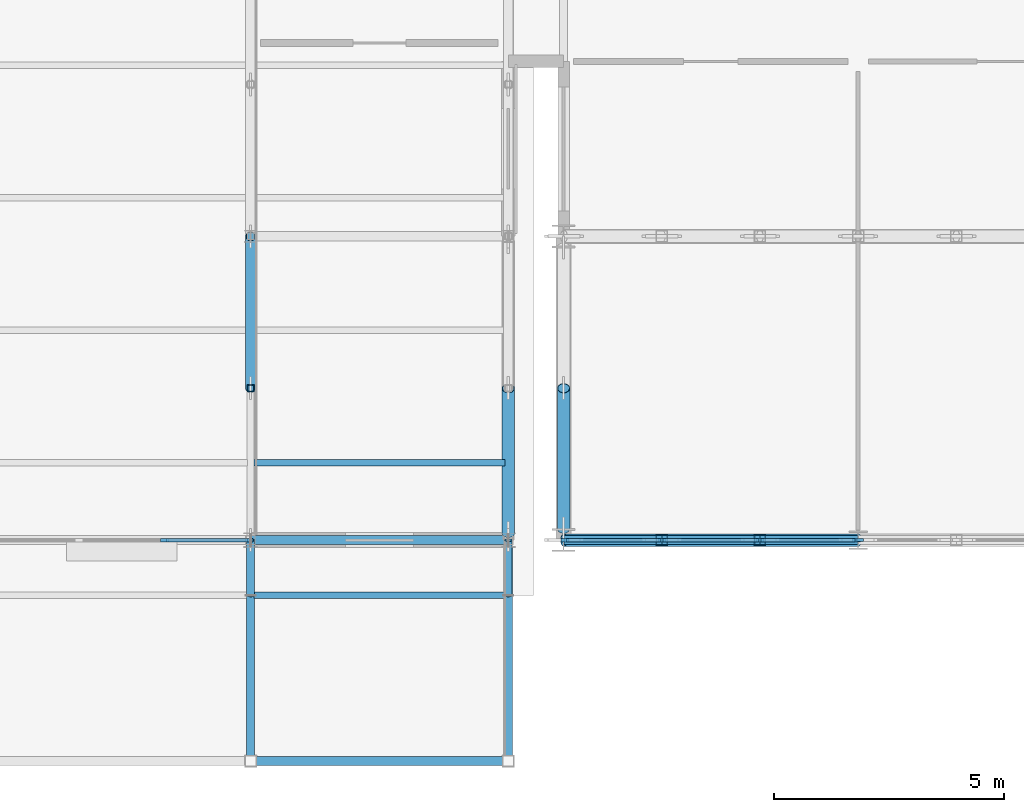
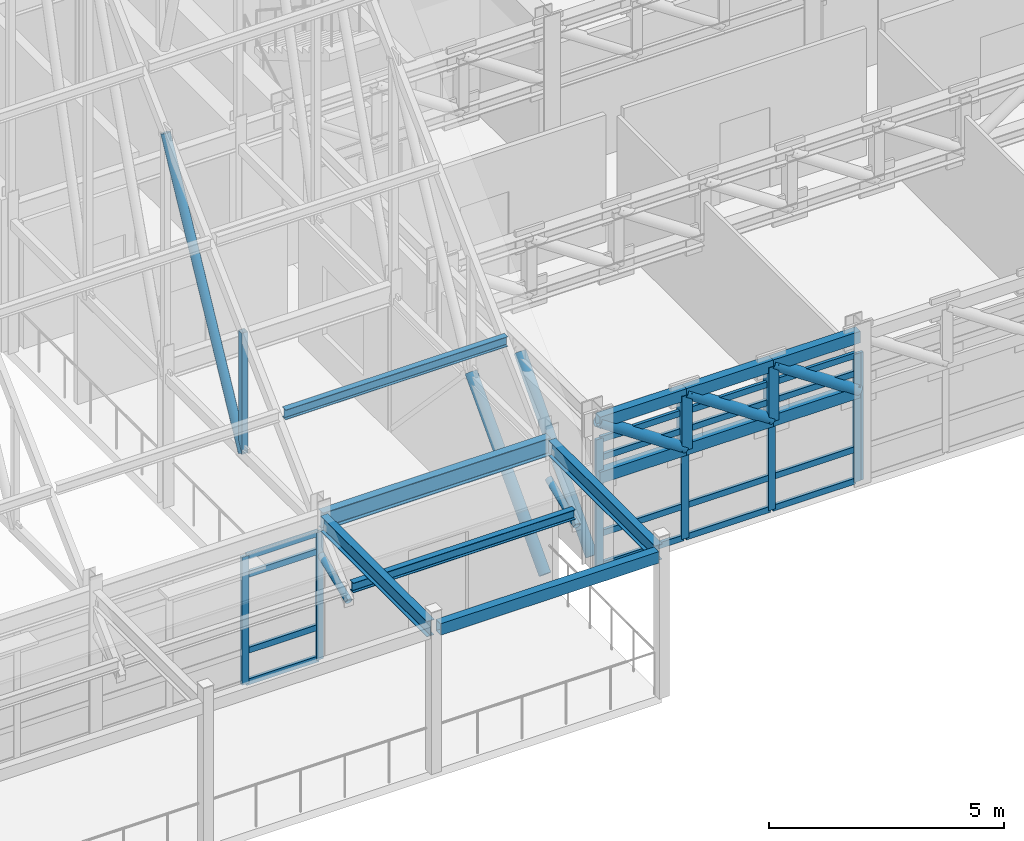
# One storey, part 43 of 144: 42 members, 4 beams, 3 elements without a shape of their own.
"""IFC4 building model written with IfcOpenShell, lengths in metres."""

from ifc_helpers import new_model, si_unit, direction, frame, origin, origin_2d, place, context, subcontext, project, spatial, rectangle, hollow_rectangle, hollow_circle, i_section, extrude, material, layer, layer_set, material_profile, profile_set, type_object, element, aggregate, save


model = new_model("IFC4")

# Units and contexts
model_context = context("Model", 3, precision=1e-05, world=origin(), true_north=direction((0.0, 1.0)))
body_context = subcontext(model_context, "Body", "Model", "MODEL_VIEW")
ifc_project = project(units=[si_unit("LENGTHUNIT", "METRE"), si_unit("AREAUNIT", "SQUARE_METRE"), si_unit("VOLUMEUNIT", "CUBIC_METRE"), si_unit("PLANEANGLEUNIT", "RADIAN"), si_unit("MASSUNIT", "GRAM", prefix="KILO")], contexts=[model_context])

# Site, building, storey
site_placement = place(None, origin())
site = spatial("IfcSite", under=ifc_project, at=site_placement, CompositionType="ELEMENT")
building_placement = place(site_placement, origin())
building = spatial("IfcBuilding", under=site, at=building_placement, Name="Trelmorton Wharf Fire Station", CompositionType="ELEMENT")
storey_placement = place(building_placement, frame((0.0, 0.0, 5.39990234375)))
storey = spatial("IfcBuildingStorey", under=building, at=storey_placement, Name="L01", CompositionType="ELEMENT", Elevation=5.39990234375)

# Beams
ifc_material_1 = material(Name="Steel Grade 350", Category="steel")
ifc_material_profile_1 = material_profile(ifc_material_1, i_section(OverallWidth=0.177978515625, OverallDepth=0.406005859375, WebThickness=0.0078125, FlangeThickness=0.0126953125, FilletRadius=0.011474609375, at=origin_2d()), Name="410UB59.7")
ifc_profile_set_1 = profile_set([ifc_material_profile_1], Name="Steel Grade 350")
beam_type_1 = type_object("IfcBeamType", Name="BM_410UB60", PredefinedType="BEAM", material=ifc_profile_set_1)
for number, where, z_axis, x_axis, name in (
    (1, (51.199951171875, 3.12109375, 3.6171875), (0.0, 1.0, 0.0), (-1.0, 0.0, 0.0), "BM-L01-0584"),
    (2, (56.800048828125, 3.12109375, 3.6171875), (0.0, 1.0, 0.0), (-1.0, 0.0, 0.0), "BM-L01-0585"),
):
    element("IfcBeam", number, at=place(storey_placement, frame(where, z_axis=z_axis, x_axis=x_axis)), inside=storey, type_object=beam_type_1, Name=name, PredefinedType="BEAM", context=body_context, shape_type="SweptSolid", body=[
        extrude(i_section(OverallWidth=0.177978515625, OverallDepth=0.406005859375, WebThickness=0.0078125, FlangeThickness=0.0126953125, FilletRadius=0.011474609375, at=origin_2d()), origin(), (0.0, 0.0, 1.0), 4.525390625),
    ])
ifc_material_2 = material(Name="Signal-red architectural steel Grade 350", Category="steel")
ifc_material_profile_2 = material_profile(ifc_material_2, hollow_rectangle(XDim=0.199951171875, YDim=0.300048828125, WallThickness=0.012451171875, at=origin_2d()), Name="300x200x12.5RHS")
ifc_profile_set_2 = profile_set([ifc_material_profile_2], Name="Signal-red architectural steel Grade 350")
beam_type_2 = type_object("IfcBeamType", Name="BM_RED_300RHS", PredefinedType="BEAM", material=ifc_profile_set_2)
beam_1_placement = place(storey_placement, frame((51.321044921875, 3.0, 3.670166015625), z_axis=(1.0, 0.0, 0.0), x_axis=(0.0, 1.0, 0.0)))
element("IfcBeam", 3, at=beam_1_placement, inside=storey, type_object=beam_type_2, Name="BM-L01-0402", PredefinedType="BEAM", context=body_context, shape_type="SweptSolid", body=[
    extrude(hollow_rectangle(XDim=0.199951171875, YDim=0.300048828125, WallThickness=0.012451171875, at=origin_2d()), origin(), (0.0, 0.0, 1.0), 5.35791015625),
])

# Members
ifc_material_3 = material(Name="Steel C350L0 (350 MPa)", Category="steel")
ifc_material_profile_3 = material_profile(ifc_material_3, hollow_circle(Radius=0.136474609375, WallThickness=0.00927734375, at=origin_2d()), Name="273.1x9.3CHS")
ifc_profile_set_3 = profile_set([ifc_material_profile_3], Name="Steel C350L0 (350 MPa)")
member_type_1 = type_object("IfcMemberType", Name="BR_273CHS", PredefinedType="BRACE", material=ifc_profile_set_3)
member_1_placement = place(storey_placement, frame((56.800048828125, 7.95458984375, 0.1201171875), z_axis=(0.0, 0.684495843714, 0.729016762453), x_axis=(-1.0, 0.0, 0.0)))
element("IfcMember", 4, at=member_1_placement, inside=storey, type_object=member_type_1, Name="CBF-V1-E-L01-A", PredefinedType="BRACE", context=body_context, shape_type="SweptSolid", body=[
    extrude(hollow_circle(Radius=0.136474609375, WallThickness=0.00927734375, at=origin_2d()), origin(), (0.0, 0.0, 1.0), 4.595458984375),
])
member_2_placement = place(storey_placement, frame((58.0, 8.047119140625, 0.1201171875), z_axis=(0.0, 0.661630386629, 0.74983013509), x_axis=(-1.0, 0.0, 0.0)))
element("IfcMember", 5, at=member_2_placement, inside=storey, type_object=member_type_1, Name="CBF-V3-W-L01-A", PredefinedType="BRACE", context=body_context, shape_type="SweptSolid", body=[
    extrude(hollow_circle(Radius=0.136474609375, WallThickness=0.00927734375, at=origin_2d()), origin(), (0.0, 0.0, 1.0), 4.6142578125),
])

# Curtain wall, member
ifc_material_4 = material(Name="Anodised aluminium AW-6063", Category="aluminium")
ifc_layer = layer(ifc_material_4, 0.159912109375)
ifc_layer_set = layer_set([ifc_layer], Name="Anodised aluminium AW-6063")
curtain_wall_type = type_object("IfcCurtainWallType", Name="CW_CHIC_A", PredefinedType="USERDEFINED", material=ifc_layer_set)
curtain_wall_1_placement = place(storey_placement, origin())
curtain_wall_1 = element("IfcCurtainWall", 6, at=curtain_wall_1_placement, inside=storey, type_object=curtain_wall_type, Name="CW-V3-L01-023", ObjectType="CHICAGO BAY CURTAIN WALL", PredefinedType="USERDEFINED")
ifc_material_profile_4 = material_profile(ifc_material_4, rectangle(XDim=0.06494140625, YDim=0.159912109375, at=origin_2d()), Name="ALU-65x160")
ifc_profile_set_4 = profile_set([ifc_material_profile_4], Name="Anodised aluminium AW-6063")
member_type_2 = type_object("IfcMemberType", Name="CWM_65x160", PredefinedType="MULLION", material=ifc_profile_set_4)
member_3_placement = place(storey_placement, frame((64.43505859375, 7.800048828125, 0.0), z_axis=(0.0, 0.0, 1.0), x_axis=(0.0, -1.0, 0.0)))
member_3 = element("IfcMember", 7, at=member_3_placement, type_object=member_type_2, Name="CW1 mullion 4", PredefinedType="MULLION", context=body_context, shape_type="SweptSolid", body=[
    extrude(rectangle(XDim=0.06494140625, YDim=0.159912109375, at=origin_2d()), origin(), (0.0, 0.0, 1.0), 3.320068359375),
])
aggregate(curtain_wall_1, [member_3])

# Curtain wall, members
curtain_wall_2_placement = place(storey_placement, origin())
curtain_wall_2 = element("IfcCurtainWall", 8, at=curtain_wall_2_placement, inside=storey, type_object=curtain_wall_type, Name="CW-V1-L01-008", ObjectType="CHICAGO BAY CURTAIN WALL", PredefinedType="USERDEFINED")
ifc_material_profile_5 = material_profile(ifc_material_4, rectangle(XDim=0.074951171875, YDim=0.175048828125, at=origin_2d()), Name="ALU-75x175")
ifc_profile_set_5 = profile_set([ifc_material_profile_5], Name="Anodised aluminium AW-6063")
member_type_3 = type_object("IfcMemberType", Name="CWM_75x175", PredefinedType="MULLION", material=ifc_profile_set_5)
member_4_placement = place(storey_placement, frame((51.1650390625, 7.800048828125, 0.0), z_axis=(0.0, 0.0, 1.0), x_axis=(0.0, -1.0, 0.0)))
member_4 = element("IfcMember", 9, at=member_4_placement, type_object=member_type_3, Name="CW1 mullion 1", PredefinedType="MULLION", context=body_context, shape_type="SweptSolid", body=[
    extrude(rectangle(XDim=0.074951171875, YDim=0.175048828125, at=origin_2d()), origin(), (0.0, 0.0, 1.0), 3.320068359375),
])
member_5_placement = place(storey_placement, frame((49.331787109375, 7.800048828125, 0.0), z_axis=(0.0, 0.0, 1.0), x_axis=(0.0, -1.0, 0.0)))
member_5 = element("IfcMember", 10, at=member_5_placement, type_object=member_type_3, Name="CW1 mullion 2", PredefinedType="MULLION", context=body_context, shape_type="SweptSolid", body=[
    extrude(rectangle(XDim=0.074951171875, YDim=0.175048828125, at=origin_2d()), origin(), (0.0, 0.0, 1.0), 3.320068359375),
])

curtain_wall_3_placement = place(storey_placement, origin())
curtain_wall_3 = element("IfcCurtainWall", 11, at=curtain_wall_3_placement, inside=storey, type_object=curtain_wall_type, Name="CW-V3-L01-022", ObjectType="CHICAGO BAY CURTAIN WALL", PredefinedType="USERDEFINED")
member_6_placement = place(storey_placement, frame((64.364990234375, 7.800048828125, 0.0), z_axis=(0.0, 0.0, 1.0), x_axis=(0.0, -1.0, 0.0)))
member_6 = element("IfcMember", 12, at=member_6_placement, type_object=member_type_3, Name="CW1 mullion 1", PredefinedType="MULLION", context=body_context, shape_type="SweptSolid", body=[
    extrude(rectangle(XDim=0.074951171875, YDim=0.175048828125, at=origin_2d()), origin(), (0.0, 0.0, 1.0), 3.320068359375),
])
member_7_placement = place(storey_placement, frame((62.264892578125, 7.800048828125, 0.0), z_axis=(0.0, 0.0, 1.0), x_axis=(0.0, -1.0, 0.0)))
member_7 = element("IfcMember", 13, at=member_7_placement, type_object=member_type_3, Name="CW1 mullion 2", PredefinedType="MULLION", context=body_context, shape_type="SweptSolid", body=[
    extrude(rectangle(XDim=0.074951171875, YDim=0.175048828125, at=origin_2d()), origin(), (0.0, 0.0, 1.0), 3.320068359375),
])
member_8_placement = place(storey_placement, frame((60.135009765625, 7.800048828125, 0.0), z_axis=(0.0, 0.0, 1.0), x_axis=(0.0, -1.0, 0.0)))
member_8 = element("IfcMember", 14, at=member_8_placement, type_object=member_type_3, Name="CW1 mullion 3", PredefinedType="MULLION", context=body_context, shape_type="SweptSolid", body=[
    extrude(rectangle(XDim=0.074951171875, YDim=0.175048828125, at=origin_2d()), origin(), (0.0, 0.0, 1.0), 3.320068359375),
])
member_9_placement = place(storey_placement, frame((58.034912109375, 7.800048828125, 0.0), z_axis=(0.0, 0.0, 1.0), x_axis=(0.0, -1.0, 0.0)))
member_9 = element("IfcMember", 15, at=member_9_placement, type_object=member_type_3, Name="CW1 mullion 4", PredefinedType="MULLION", context=body_context, shape_type="SweptSolid", body=[
    extrude(rectangle(XDim=0.074951171875, YDim=0.175048828125, at=origin_2d()), origin(), (0.0, 0.0, 1.0), 3.320068359375),
])

# Member
ifc_material_profile_6 = material_profile(ifc_material_4, rectangle(XDim=0.074951171875, YDim=0.155029296875, at=origin_2d()), Name="ALU-75x155")
ifc_profile_set_6 = profile_set([ifc_material_profile_6], Name="Anodised aluminium AW-6063")
member_type_4 = type_object("IfcMemberType", Name="CWT_75x155", PredefinedType="USERDEFINED", material=ifc_profile_set_6)
member_10_placement = place(storey_placement, frame((51.135009765625, 7.800048828125, 0.030029296875), z_axis=(-1.0, 0.0, 0.0), x_axis=(0.0, -1.0, 0.0)))
member_10 = element("IfcMember", 16, at=member_10_placement, type_object=member_type_4, Name="CW1 transom 1.1", ObjectType="TRANSOM", PredefinedType="USERDEFINED", context=body_context, shape_type="SweptSolid", body=[
    extrude(rectangle(XDim=0.074951171875, YDim=0.155029296875, at=origin_2d()), origin(), (0.0, 0.0, 1.0), 1.7734375),
])

member_11_placement = place(storey_placement, frame((51.135009765625, 7.800048828125, 0.85009765625), z_axis=(-1.0, 0.0, 0.0), x_axis=(0.0, -1.0, 0.0)))
member_11 = element("IfcMember", 17, at=member_11_placement, type_object=member_type_4, Name="CW1 transom 1.2", ObjectType="TRANSOM", PredefinedType="USERDEFINED", context=body_context, shape_type="SweptSolid", body=[
    extrude(rectangle(XDim=0.074951171875, YDim=0.155029296875, at=origin_2d()), origin(), (0.0, 0.0, 1.0), 1.7734375),
])

member_12_placement = place(storey_placement, frame((51.135009765625, 7.800048828125, 2.820068359375), z_axis=(-1.0, 0.0, 0.0), x_axis=(0.0, -1.0, 0.0)))
member_12 = element("IfcMember", 18, at=member_12_placement, type_object=member_type_4, Name="CW1 transom 1.3", ObjectType="TRANSOM", PredefinedType="USERDEFINED", context=body_context, shape_type="SweptSolid", body=[
    extrude(rectangle(XDim=0.074951171875, YDim=0.155029296875, at=origin_2d()), origin(), (0.0, 0.0, 1.0), 1.7734375),
])

member_13_placement = place(storey_placement, frame((51.135009765625, 7.800048828125, 3.2900390625), z_axis=(-1.0, 0.0, 0.0), x_axis=(0.0, -1.0, 0.0)))
member_13 = element("IfcMember", 19, at=member_13_placement, type_object=member_type_4, Name="CW1 transom 1.4", ObjectType="TRANSOM", PredefinedType="USERDEFINED", context=body_context, shape_type="SweptSolid", body=[
    extrude(rectangle(XDim=0.074951171875, YDim=0.155029296875, at=origin_2d()), origin(), (0.0, 0.0, 1.0), 1.7734375),
])

aggregate(curtain_wall_2, [member_4, member_5, member_10, member_11, member_12, member_13])

member_14_placement = place(storey_placement, frame((64.3349609375, 7.800048828125, 0.030029296875), z_axis=(-1.0, 0.0, 0.0), x_axis=(0.0, -1.0, 0.0)))
member_14 = element("IfcMember", 20, at=member_14_placement, type_object=member_type_4, Name="CW1 transom 1.1", ObjectType="TRANSOM", PredefinedType="USERDEFINED", context=body_context, shape_type="SweptSolid", body=[
    extrude(rectangle(XDim=0.074951171875, YDim=0.155029296875, at=origin_2d()), origin(), (0.0, 0.0, 1.0), 2.0400390625),
])

member_15_placement = place(storey_placement, frame((64.3349609375, 7.800048828125, 0.85009765625), z_axis=(-1.0, 0.0, 0.0), x_axis=(0.0, -1.0, 0.0)))
member_15 = element("IfcMember", 21, at=member_15_placement, type_object=member_type_4, Name="CW1 transom 1.2", ObjectType="TRANSOM", PredefinedType="USERDEFINED", context=body_context, shape_type="SweptSolid", body=[
    extrude(rectangle(XDim=0.074951171875, YDim=0.155029296875, at=origin_2d()), origin(), (0.0, 0.0, 1.0), 2.0400390625),
])

member_16_placement = place(storey_placement, frame((64.3349609375, 7.800048828125, 2.820068359375), z_axis=(-1.0, 0.0, 0.0), x_axis=(0.0, -1.0, 0.0)))
member_16 = element("IfcMember", 22, at=member_16_placement, type_object=member_type_4, Name="CW1 transom 1.3", ObjectType="TRANSOM", PredefinedType="USERDEFINED", context=body_context, shape_type="SweptSolid", body=[
    extrude(rectangle(XDim=0.074951171875, YDim=0.155029296875, at=origin_2d()), origin(), (0.0, 0.0, 1.0), 2.0400390625),
])

member_17_placement = place(storey_placement, frame((64.3349609375, 7.800048828125, 3.2900390625), z_axis=(-1.0, 0.0, 0.0), x_axis=(0.0, -1.0, 0.0)))
member_17 = element("IfcMember", 23, at=member_17_placement, type_object=member_type_4, Name="CW1 transom 1.4", ObjectType="TRANSOM", PredefinedType="USERDEFINED", context=body_context, shape_type="SweptSolid", body=[
    extrude(rectangle(XDim=0.074951171875, YDim=0.155029296875, at=origin_2d()), origin(), (0.0, 0.0, 1.0), 2.0400390625),
])

member_18_placement = place(storey_placement, frame((62.235107421875, 7.800048828125, 0.030029296875), z_axis=(-1.0, 0.0, 0.0), x_axis=(0.0, -1.0, 0.0)))
member_18 = element("IfcMember", 24, at=member_18_placement, type_object=member_type_4, Name="CW1 transom 2.1", ObjectType="TRANSOM", PredefinedType="USERDEFINED", context=body_context, shape_type="SweptSolid", body=[
    extrude(rectangle(XDim=0.074951171875, YDim=0.155029296875, at=origin_2d()), origin(), (0.0, 0.0, 1.0), 2.070068359375),
])

member_19_placement = place(storey_placement, frame((62.235107421875, 7.800048828125, 0.85009765625), z_axis=(-1.0, 0.0, 0.0), x_axis=(0.0, -1.0, 0.0)))
member_19 = element("IfcMember", 25, at=member_19_placement, type_object=member_type_4, Name="CW1 transom 2.2", ObjectType="TRANSOM", PredefinedType="USERDEFINED", context=body_context, shape_type="SweptSolid", body=[
    extrude(rectangle(XDim=0.074951171875, YDim=0.155029296875, at=origin_2d()), origin(), (0.0, 0.0, 1.0), 2.070068359375),
])

member_20_placement = place(storey_placement, frame((62.235107421875, 7.800048828125, 2.820068359375), z_axis=(-1.0, 0.0, 0.0), x_axis=(0.0, -1.0, 0.0)))
member_20 = element("IfcMember", 26, at=member_20_placement, type_object=member_type_4, Name="CW1 transom 2.3", ObjectType="TRANSOM", PredefinedType="USERDEFINED", context=body_context, shape_type="SweptSolid", body=[
    extrude(rectangle(XDim=0.074951171875, YDim=0.155029296875, at=origin_2d()), origin(), (0.0, 0.0, 1.0), 2.070068359375),
])

member_21_placement = place(storey_placement, frame((62.235107421875, 7.800048828125, 3.2900390625), z_axis=(-1.0, 0.0, 0.0), x_axis=(0.0, -1.0, 0.0)))
member_21 = element("IfcMember", 27, at=member_21_placement, type_object=member_type_4, Name="CW1 transom 2.4", ObjectType="TRANSOM", PredefinedType="USERDEFINED", context=body_context, shape_type="SweptSolid", body=[
    extrude(rectangle(XDim=0.074951171875, YDim=0.155029296875, at=origin_2d()), origin(), (0.0, 0.0, 1.0), 2.070068359375),
])

member_22_placement = place(storey_placement, frame((60.10498046875, 7.800048828125, 0.030029296875), z_axis=(-1.0, 0.0, 0.0), x_axis=(0.0, -1.0, 0.0)))
member_22 = element("IfcMember", 28, at=member_22_placement, type_object=member_type_4, Name="CW1 transom 3.1", ObjectType="TRANSOM", PredefinedType="USERDEFINED", context=body_context, shape_type="SweptSolid", body=[
    extrude(rectangle(XDim=0.074951171875, YDim=0.155029296875, at=origin_2d()), origin(), (0.0, 0.0, 1.0), 2.0400390625),
])

member_23_placement = place(storey_placement, frame((60.10498046875, 7.800048828125, 0.85009765625), z_axis=(-1.0, 0.0, 0.0), x_axis=(0.0, -1.0, 0.0)))
member_23 = element("IfcMember", 29, at=member_23_placement, type_object=member_type_4, Name="CW1 transom 3.2", ObjectType="TRANSOM", PredefinedType="USERDEFINED", context=body_context, shape_type="SweptSolid", body=[
    extrude(rectangle(XDim=0.074951171875, YDim=0.155029296875, at=origin_2d()), origin(), (0.0, 0.0, 1.0), 2.0400390625),
])

member_24_placement = place(storey_placement, frame((60.10498046875, 7.800048828125, 2.820068359375), z_axis=(-1.0, 0.0, 0.0), x_axis=(0.0, -1.0, 0.0)))
member_24 = element("IfcMember", 30, at=member_24_placement, type_object=member_type_4, Name="CW1 transom 3.3", ObjectType="TRANSOM", PredefinedType="USERDEFINED", context=body_context, shape_type="SweptSolid", body=[
    extrude(rectangle(XDim=0.074951171875, YDim=0.155029296875, at=origin_2d()), origin(), (0.0, 0.0, 1.0), 2.0400390625),
])

member_25_placement = place(storey_placement, frame((60.10498046875, 7.800048828125, 3.2900390625), z_axis=(-1.0, 0.0, 0.0), x_axis=(0.0, -1.0, 0.0)))
member_25 = element("IfcMember", 31, at=member_25_placement, type_object=member_type_4, Name="CW1 transom 3.4", ObjectType="TRANSOM", PredefinedType="USERDEFINED", context=body_context, shape_type="SweptSolid", body=[
    extrude(rectangle(XDim=0.074951171875, YDim=0.155029296875, at=origin_2d()), origin(), (0.0, 0.0, 1.0), 2.0400390625),
])

aggregate(curtain_wall_3, [member_6, member_7, member_8, member_9, member_14, member_15, member_16, member_17, member_18, member_19, member_20, member_21, member_22, member_23, member_24, member_25])

# Members
ifc_material_5 = material(Name="Steel Grade 300 (300 MPa)", Category="steel")
ifc_material_profile_7 = material_profile(ifc_material_5, i_section(OverallWidth=0.14599609375, OverallDepth=0.256103515625, WebThickness=0.00634765625, FlangeThickness=0.010986328125, FilletRadius=0.0087890625, at=origin_2d()), Name="250UB37.3")
ifc_profile_set_7 = profile_set([ifc_material_profile_7], Name="Steel Grade 300 (300 MPa)")
member_type_5 = type_object("IfcMemberType", Name="PR_250UB37", PredefinedType="PURLIN", material=ifc_profile_set_7)
for number, where, z_axis, x_axis, name in (
    (32, (51.27197265625, 6.60009765625, 2.566162109375), (1.0, 0.0, 0.0), (0.0, 1.0, 0.0), "V1-PR-B10-S0"),
    (33, (51.27197265625, 9.47998046875, 5.315185546875), (1.0, 0.0, 0.0), (0.0, 1.0, 0.0), "V1-PR-B10-S1"),
):
    element("IfcMember", number, at=place(storey_placement, frame(where, z_axis=z_axis, x_axis=x_axis)), inside=storey, type_object=member_type_5, Name=name, PredefinedType="PURLIN", context=body_context, shape_type="SweptSolid", body=[
        extrude(i_section(OverallWidth=0.14599609375, OverallDepth=0.256103515625, WebThickness=0.00634765625, FlangeThickness=0.010986328125, FilletRadius=0.0087890625, at=origin_2d()), origin(), (0.0, 0.0, 1.0), 5.4560546875),
    ])

# Beam
ifc_material_profile_8 = material_profile(ifc_material_1, i_section(OverallWidth=0.18994140625, OverallDepth=0.45703125, WebThickness=0.009033203125, FlangeThickness=0.014404296875, FilletRadius=0.011474609375, at=origin_2d()), Name="460UB74.6")
ifc_profile_set_8 = profile_set([ifc_material_profile_8], Name="Steel Grade 350")
beam_type_3 = type_object("IfcBeamType", Name="SP_460UB75", PredefinedType="SPANDREL", material=ifc_profile_set_8)
beam_2_placement = place(storey_placement, frame((51.2041015625, 7.800048828125, 3.591552734375), z_axis=(1.0, 0.0, 0.0), x_axis=(0.0, 1.0, 0.0)))
element("IfcBeam", 34, at=beam_2_placement, inside=storey, type_object=beam_type_3, Name="BM-L01-0413", PredefinedType="SPANDREL", context=body_context, shape_type="SweptSolid", body=[
    extrude(i_section(OverallWidth=0.18994140625, OverallDepth=0.45703125, WebThickness=0.009033203125, FlangeThickness=0.014404296875, FilletRadius=0.011474609375, at=origin_2d()), origin(), (0.0, 0.0, 1.0), 5.591796875),
])

# Members
ifc_material_6 = material(Name="Steel C450L0 (450 MPa)", Category="steel")
ifc_material_profile_9 = material_profile(ifc_material_6, hollow_rectangle(XDim=0.199951171875, YDim=0.300048828125, WallThickness=0.012451171875, at=origin_2d()), Name="300x200x12.5RHS")
ifc_profile_set_9 = profile_set([ifc_material_profile_9], Name="Steel C450L0 (450 MPa)")
member_type_6 = type_object("IfcMemberType", Name="TR_CHORD_300RHS", PredefinedType="CHORD", material=ifc_profile_set_9)
for number, where, z_axis, x_axis, name in (
    (35, (58.008056640625, 7.800048828125, 2.35009765625), (1.0, 0.0, 0.0), (0.0, 1.0, 0.0), "Transfer Truss TT1 Bottom Chord 1"),
    (36, (58.008056640625, 7.800048828125, 3.780029296875), (1.0, 0.0, 0.0), (0.0, 1.0, 0.0), "Transfer Truss TT1 Top Chord 1"),
):
    element("IfcMember", number, at=place(storey_placement, frame(where, z_axis=z_axis, x_axis=x_axis)), inside=storey, type_object=member_type_6, Name=name, PredefinedType="CHORD", context=body_context, shape_type="SweptSolid", body=[
        extrude(hollow_rectangle(XDim=0.199951171875, YDim=0.300048828125, WallThickness=0.012451171875, at=origin_2d()), origin(), (0.0, 0.0, 1.0), 2.125244140625),
    ])
for number, where, z_axis, x_axis, name in (
    (37, (60.13330078125, 7.800048828125, 2.35009765625), (1.0, 0.0, 0.0), (0.0, 1.0, 0.0), "Transfer Truss TT1 Bottom Chord 2"),
    (38, (60.13330078125, 7.800048828125, 3.780029296875), (1.0, 0.0, 0.0), (0.0, 1.0, 0.0), "Transfer Truss TT1 Top Chord 2"),
    (39, (62.2666015625, 7.800048828125, 2.35009765625), (1.0, 0.0, 0.0), (0.0, 1.0, 0.0), "Transfer Truss TT1 Bottom Chord 3"),
    (40, (62.2666015625, 7.800048828125, 3.780029296875), (1.0, 0.0, 0.0), (0.0, 1.0, 0.0), "Transfer Truss TT1 Top Chord 3"),
):
    element("IfcMember", number, at=place(storey_placement, frame(where, z_axis=z_axis, x_axis=x_axis)), inside=storey, type_object=member_type_6, Name=name, PredefinedType="CHORD", context=body_context, shape_type="SweptSolid", body=[
        extrude(hollow_rectangle(XDim=0.199951171875, YDim=0.300048828125, WallThickness=0.012451171875, at=origin_2d()), origin(), (0.0, 0.0, 1.0), 2.13330078125),
    ])
ifc_material_profile_10 = material_profile(ifc_material_3, hollow_circle(Radius=0.084228515625, WallThickness=0.007080078125, at=origin_2d()), Name="168.3x7.1CHS")
ifc_profile_set_10 = profile_set([ifc_material_profile_10], Name="Steel C350L0 (350 MPa)")
member_type_7 = type_object("IfcMemberType", Name="TR_DIAG_168CHS", PredefinedType="STRUT", material=ifc_profile_set_10)
for number, where, z_axis, x_axis, name in (
    (41, (51.199951171875, 7.800048828125, 2.7001953125), (0.0, -0.924732639899, -0.380617320553), (1.0, 0.0, 0.0), "V1-TR10-EAV-S"),
    (42, (56.800048828125, 7.800048828125, 2.7001953125), (0.0, -0.924732639899, -0.380617320553), (1.0, 0.0, 0.0), "V1-TR11-EAV-S"),
):
    element("IfcMember", number, at=place(storey_placement, frame(where, z_axis=z_axis, x_axis=x_axis)), inside=storey, type_object=member_type_7, Name=name, PredefinedType="STRUT", context=body_context, shape_type="SweptSolid", body=[
        extrude(hollow_circle(Radius=0.084228515625, WallThickness=0.007080078125, at=origin_2d()), origin(), (0.0, 0.0, 1.0), 1.297607421875),
    ])
ifc_material_profile_11 = material_profile(ifc_material_3, hollow_circle(Radius=0.109619140625, WallThickness=0.00830078125, at=origin_2d()), Name="219.1x8.2CHS")
ifc_profile_set_11 = profile_set([ifc_material_profile_11], Name="Steel C350L0 (350 MPa)")
member_type_8 = type_object("IfcMemberType", Name="TR_DIAG_219CHS", PredefinedType="STRUT", material=ifc_profile_set_11)
member_26_placement = place(storey_placement, frame((51.199951171875, 11.10009765625, 3.351806640625), z_axis=(0.0, 0.463982622554, 0.8858443012), x_axis=(-1.0, 0.0, 0.0)))
element("IfcMember", 43, at=member_26_placement, inside=storey, type_object=member_type_8, Name="V1-TR10-DG-S1", PredefinedType="STRUT", context=body_context, shape_type="SweptSolid", body=[
    extrude(hollow_circle(Radius=0.109619140625, WallThickness=0.00830078125, at=origin_2d()), origin(), (0.0, 0.0, 1.0), 7.11181640625),
])
ifc_material_profile_12 = material_profile(ifc_material_3, hollow_circle(Radius=0.136474609375, WallThickness=0.00927734375, at=origin_2d()), Name="273.1x9.3CHS")
ifc_profile_set_12 = profile_set([ifc_material_profile_12], Name="Steel C350L0 (350 MPa)")
member_type_9 = type_object("IfcMemberType", Name="TR_DIAG_273CHS", PredefinedType="STRUT", material=ifc_profile_set_12)
member_27_placement = place(storey_placement, frame((58.008056640625, 7.800048828125, 3.780029296875), z_axis=(0.829681979405, 0.0, -0.558236341571), x_axis=(0.0, 1.0, 0.0)))
element("IfcMember", 44, at=member_27_placement, inside=storey, type_object=member_type_9, Name="TT1-DG-1", PredefinedType="STRUT", context=body_context, shape_type="SweptSolid", body=[
    extrude(hollow_circle(Radius=0.136474609375, WallThickness=0.00927734375, at=origin_2d()), origin(), (0.0, 0.0, 1.0), 2.5615234375),
])
for number, where, z_axis, x_axis, name in (
    (45, (60.13330078125, 7.800048828125, 3.780029296875), (0.830658305664, 0.0, -0.556782524179), (0.0, 1.0, 0.0), "TT1-DG-2"),
    (46, (62.2666015625, 7.800048828125, 3.780029296875), (0.830658305664, 0.0, -0.556782524179), (0.0, 1.0, 0.0), "TT1-DG-3"),
):
    element("IfcMember", number, at=place(storey_placement, frame(where, z_axis=z_axis, x_axis=x_axis)), inside=storey, type_object=member_type_9, Name=name, PredefinedType="STRUT", context=body_context, shape_type="SweptSolid", body=[
        extrude(hollow_circle(Radius=0.136474609375, WallThickness=0.00927734375, at=origin_2d()), origin(), (0.0, 0.0, 1.0), 2.568115234375),
    ])
ifc_material_profile_13 = material_profile(ifc_material_3, hollow_rectangle(XDim=0.14990234375, YDim=0.14990234375, WallThickness=0.009033203125, at=origin_2d()), Name="150x150x9.0SHS")
ifc_profile_set_13 = profile_set([ifc_material_profile_13], Name="Steel C350L0 (350 MPa)")
member_type_10 = type_object("IfcMemberType", Name="TR_POST_150SHS", PredefinedType="POST", material=ifc_profile_set_13)
member_28_placement = place(storey_placement, frame((51.199951171875, 11.10009765625, 3.351806640625), z_axis=(0.0, 0.0, 1.0), x_axis=(1.0, 0.0, 0.0)))
element("IfcMember", 47, at=member_28_placement, inside=storey, type_object=member_type_10, Name="V1-TR10-VP-S1", PredefinedType="POST", context=body_context, shape_type="SweptSolid", body=[
    extrude(hollow_rectangle(XDim=0.14990234375, YDim=0.14990234375, WallThickness=0.009033203125, at=origin_2d()), origin(), (0.0, 0.0, 1.0), 3.150146484375),
])
ifc_material_profile_14 = material_profile(ifc_material_6, hollow_rectangle(XDim=0.25, YDim=0.25, WallThickness=0.012451171875, at=origin_2d()), Name="250x250x12.5SHS")
ifc_profile_set_14 = profile_set([ifc_material_profile_14], Name="Steel C450L0 (450 MPa)")
member_type_11 = type_object("IfcMemberType", Name="TR_POST_250SHS", PredefinedType="POST", material=ifc_profile_set_14)
for number, where, z_axis, x_axis, name in (
    (48, (60.13330078125, 7.800048828125, 2.35009765625), (0.0, 0.0, 1.0), (1.0, 0.0, 0.0), "TT1-VP-1"),
    (49, (62.2666015625, 7.800048828125, 2.35009765625), (0.0, 0.0, 1.0), (1.0, 0.0, 0.0), "TT1-VP-2"),
):
    element("IfcMember", number, at=place(storey_placement, frame(where, z_axis=z_axis, x_axis=x_axis)), inside=storey, type_object=member_type_11, Name=name, PredefinedType="POST", context=body_context, shape_type="SweptSolid", body=[
        extrude(hollow_rectangle(XDim=0.25, YDim=0.25, WallThickness=0.012451171875, at=origin_2d()), origin(), (0.0, 0.0, 1.0), 1.429931640625),
    ])

save(model, "model.ifc")
